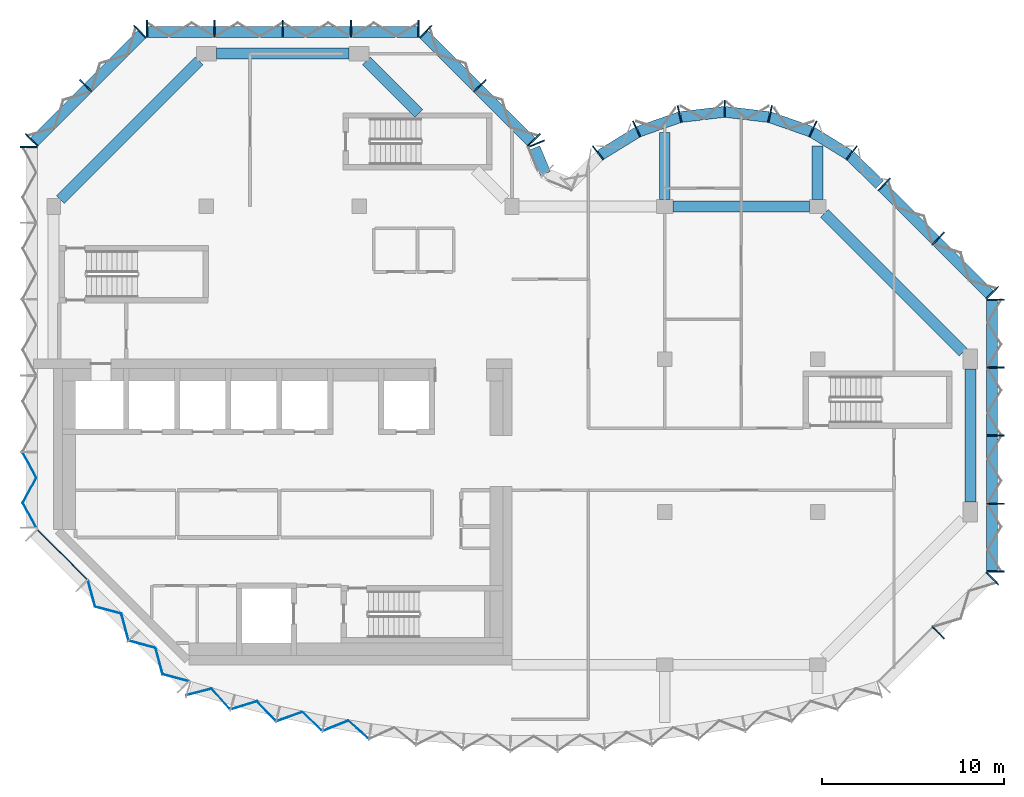
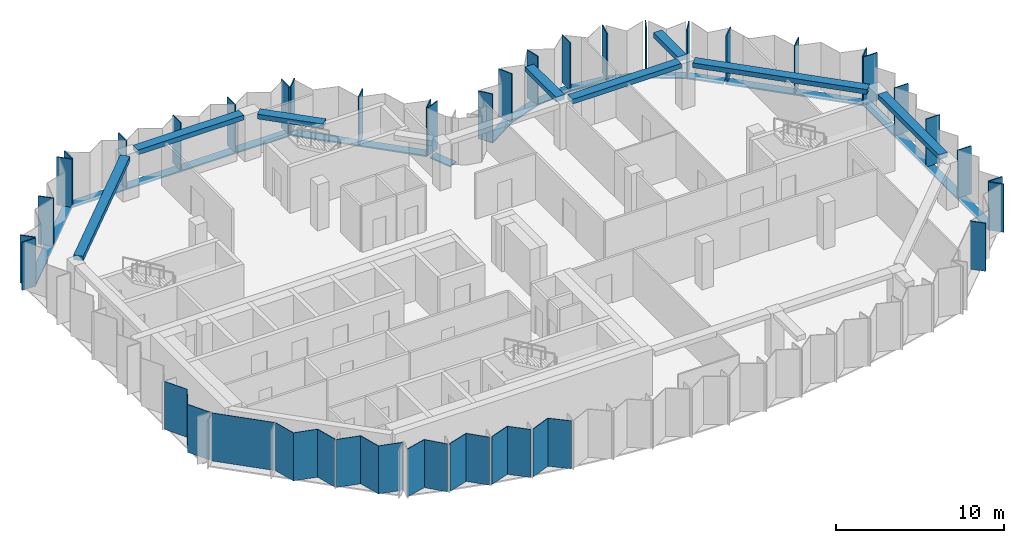
# One storey, part 2 of 9: 43 members, 8 beams, 8 plates, 11 elements without a shape of their own.
"""IFC4 building model written with IfcOpenShell, lengths in metres."""

from ifc_helpers import new_model, si_unit, direction, frame, origin, origin_2d, place, context, subcontext, project, spatial, polyline, rectangle, outline, extrude, material, layer, layer_set, material_profile, profile_set, type_object, element, aggregate, save


model = new_model("IFC4")

# Units and contexts
model_context = context("Model", 3, precision=1e-05, world=origin(), true_north=direction((0.0, 1.0)))
body_context = subcontext(model_context, "Body", "Model", "MODEL_VIEW")
ifc_project = project(units=[si_unit("LENGTHUNIT", "METRE"), si_unit("AREAUNIT", "SQUARE_METRE"), si_unit("VOLUMEUNIT", "CUBIC_METRE"), si_unit("PLANEANGLEUNIT", "RADIAN"), si_unit("MASSUNIT", "GRAM", prefix="KILO")], contexts=[model_context])

# Site, building, storey
site_placement = place(None, origin())
site = spatial("IfcSite", under=ifc_project, at=site_placement, CompositionType="ELEMENT")
building_placement = place(site_placement, origin())
building = spatial("IfcBuilding", under=site, at=building_placement, Name="Brevane Broadcast Tower", CompositionType="ELEMENT")
storey_placement = place(building_placement, frame((0.0, 0.0, 244.5)))
storey = spatial("IfcBuildingStorey", under=building, at=storey_placement, Name="L62", CompositionType="ELEMENT", Elevation=244.5)

# Curtain wall, members
ifc_material_1 = material(Name="Aluminium 6063-T6 bronze anodised", Category="aluminium")
curtain_wall_type = type_object("IfcCurtainWallType", Name="CW-1 curtain wall", PredefinedType="NOTDEFINED", material=ifc_material_1)
curtain_wall_1_placement = place(storey_placement, origin())
curtain_wall_1 = element("IfcCurtainWall", 1, at=curtain_wall_1_placement, inside=storey, type_object=curtain_wall_type, Name="CW-1 typical tilted unit L62 south-east chamfer", PredefinedType="NOTDEFINED")
ifc_material_profile_1 = material_profile(ifc_material_1, rectangle(XDim=0.949951171875, YDim=0.070068359375, at=origin_2d()), Name="RECT 70x950")
ifc_profile_set_1 = profile_set([ifc_material_profile_1], Name="Aluminium 6063-T6 bronze anodised")
member_type_1 = type_object("IfcMemberType", Name="CW-1 mullion 70x950", PredefinedType="MULLION", material=ifc_profile_set_1)
member_1_placement = place(storey_placement, frame((48.635986328125, 1.76416015625, -0.14990234375), z_axis=(0.0, 0.0, 1.0), x_axis=(-0.707106781187, 0.707106781187, 0.0)))
member_1 = element("IfcMember", 2, at=member_1_placement, type_object=member_type_1, Name="CW-1 mullion", PredefinedType="MULLION", context=body_context, shape_type="SweptSolid", body=[
    extrude(rectangle(XDim=0.949951171875, YDim=0.070068359375, at=origin_2d()), origin(), (0.0, 0.0, 1.0), 3.5),
])
member_2_placement = place(storey_placement, frame((51.611083984375, 4.7392578125, -0.14990234375), z_axis=(0.0, 0.0, 1.0), x_axis=(-0.707106781187, 0.707106781187, 0.0)))
member_2 = element("IfcMember", 3, at=member_2_placement, type_object=member_type_1, Name="CW-1 mullion", PredefinedType="MULLION", context=body_context, shape_type="SweptSolid", body=[
    extrude(rectangle(XDim=0.949951171875, YDim=0.070068359375, at=origin_2d()), origin(), (0.0, 0.0, 1.0), 3.5),
])
aggregate(curtain_wall_1, [member_1, member_2])

curtain_wall_2_placement = place(storey_placement, origin())
curtain_wall_2 = element("IfcCurtainWall", 4, at=curtain_wall_2_placement, inside=storey, type_object=curtain_wall_type, Name="CW-1 typical tilted unit L62 east end", PredefinedType="NOTDEFINED")
member_3_placement = place(storey_placement, frame((51.77490234375, 5.135009765625, -0.14990234375), z_axis=(0.0, 0.0, 1.0), x_axis=(-1.0, 0.0, 0.0)))
member_3 = element("IfcMember", 5, at=member_3_placement, type_object=member_type_1, Name="CW-1 mullion", PredefinedType="MULLION", context=body_context, shape_type="SweptSolid", body=[
    extrude(rectangle(XDim=0.949951171875, YDim=0.070068359375, at=origin_2d()), origin(), (0.0, 0.0, 1.0), 3.5),
])
member_4_placement = place(storey_placement, frame((51.77490234375, 8.85009765625, -0.14990234375), z_axis=(0.0, 0.0, 1.0), x_axis=(-1.0, 0.0, 0.0)))
member_4 = element("IfcMember", 6, at=member_4_placement, type_object=member_type_1, Name="CW-1 mullion", PredefinedType="MULLION", context=body_context, shape_type="SweptSolid", body=[
    extrude(rectangle(XDim=0.949951171875, YDim=0.070068359375, at=origin_2d()), origin(), (0.0, 0.0, 1.0), 3.5),
])
member_5_placement = place(storey_placement, frame((51.77490234375, 12.60009765625, -0.14990234375), z_axis=(0.0, 0.0, 1.0), x_axis=(-1.0, 0.0, 0.0)))
member_5 = element("IfcMember", 7, at=member_5_placement, type_object=member_type_1, Name="CW-1 mullion", PredefinedType="MULLION", context=body_context, shape_type="SweptSolid", body=[
    extrude(rectangle(XDim=0.949951171875, YDim=0.070068359375, at=origin_2d()), origin(), (0.0, 0.0, 1.0), 3.5),
])
member_6_placement = place(storey_placement, frame((51.77490234375, 16.35009765625, -0.14990234375), z_axis=(0.0, 0.0, 1.0), x_axis=(-1.0, 0.0, 0.0)))
member_6 = element("IfcMember", 8, at=member_6_placement, type_object=member_type_1, Name="CW-1 mullion", PredefinedType="MULLION", context=body_context, shape_type="SweptSolid", body=[
    extrude(rectangle(XDim=0.949951171875, YDim=0.070068359375, at=origin_2d()), origin(), (0.0, 0.0, 1.0), 3.5),
])
member_7_placement = place(storey_placement, frame((51.77490234375, 20.06494140625, -0.14990234375), z_axis=(0.0, 0.0, 1.0), x_axis=(-1.0, 0.0, 0.0)))
member_7 = element("IfcMember", 9, at=member_7_placement, type_object=member_type_1, Name="CW-1 mullion", PredefinedType="MULLION", context=body_context, shape_type="SweptSolid", body=[
    extrude(rectangle(XDim=0.949951171875, YDim=0.070068359375, at=origin_2d()), origin(), (0.0, 0.0, 1.0), 3.5),
])

curtain_wall_3_placement = place(storey_placement, origin())
curtain_wall_3 = element("IfcCurtainWall", 10, at=curtain_wall_3_placement, inside=storey, type_object=curtain_wall_type, Name="CW-1 typical tilted unit L62 north-east chamfer", PredefinedType="NOTDEFINED")
member_8_placement = place(storey_placement, frame((51.611083984375, 20.460693359375, -0.14990234375), z_axis=(0.0, 0.0, 1.0), x_axis=(-0.707106781187, -0.707106781187, 0.0)))
member_8 = element("IfcMember", 11, at=member_8_placement, type_object=member_type_1, Name="CW-1 mullion", PredefinedType="MULLION", context=body_context, shape_type="SweptSolid", body=[
    extrude(rectangle(XDim=0.949951171875, YDim=0.070068359375, at=origin_2d()), origin(), (0.0, 0.0, 1.0), 3.5),
])
member_9_placement = place(storey_placement, frame((48.635986328125, 23.435791015625, -0.14990234375), z_axis=(0.0, 0.0, 1.0), x_axis=(-0.707106781187, -0.707106781187, 0.0)))
member_9 = element("IfcMember", 12, at=member_9_placement, type_object=member_type_1, Name="CW-1 mullion", PredefinedType="MULLION", context=body_context, shape_type="SweptSolid", body=[
    extrude(rectangle(XDim=0.949951171875, YDim=0.070068359375, at=origin_2d()), origin(), (0.0, 0.0, 1.0), 3.5),
])
member_10_placement = place(storey_placement, frame((45.66064453125, 26.4111328125, -0.14990234375), z_axis=(0.0, 0.0, 1.0), x_axis=(-0.707106781187, -0.707106781187, 0.0)))
member_10 = element("IfcMember", 13, at=member_10_placement, type_object=member_type_1, Name="CW-1 mullion", PredefinedType="MULLION", context=body_context, shape_type="SweptSolid", body=[
    extrude(rectangle(XDim=0.949951171875, YDim=0.070068359375, at=origin_2d()), origin(), (0.0, 0.0, 1.0), 3.5),
])

curtain_wall_4_placement = place(storey_placement, origin())
curtain_wall_4 = element("IfcCurtainWall", 14, at=curtain_wall_4_placement, inside=storey, type_object=curtain_wall_type, Name="CW-1 typical tilted unit L62 east bow", PredefinedType="NOTDEFINED")
member_11_placement = place(storey_placement, frame((43.8720703125, 28.1455078125, -0.14990234375), z_axis=(0.0, 0.0, 1.0), x_axis=(-0.614769698862, -0.788706673841, 0.0)))
member_11 = element("IfcMember", 15, at=member_11_placement, type_object=member_type_1, Name="CW-1 mullion", PredefinedType="MULLION", context=body_context, shape_type="SweptSolid", body=[
    extrude(rectangle(XDim=0.949951171875, YDim=0.070068359375, at=origin_2d()), origin(), (0.0, 0.0, 1.0), 3.5),
])
member_12_placement = place(storey_placement, frame((41.746826171875, 29.4580078125, -0.14990234375), z_axis=(0.0, 0.0, 1.0), x_axis=(-0.429933580394, -0.902860518823, 0.0)))
member_12 = element("IfcMember", 16, at=member_12_placement, type_object=member_type_1, Name="CW-1 mullion", PredefinedType="MULLION", context=body_context, shape_type="SweptSolid", body=[
    extrude(rectangle(XDim=0.949951171875, YDim=0.070068359375, at=origin_2d()), origin(), (0.0, 0.0, 1.0), 3.5),
])
member_13_placement = place(storey_placement, frame((39.38818359375, 30.28076171875, -0.14990234375), z_axis=(0.0, 0.0, 1.0), x_axis=(-0.224806535479, -0.974403418306, 0.0)))
member_13 = element("IfcMember", 17, at=member_13_placement, type_object=member_type_1, Name="CW-1 mullion", PredefinedType="MULLION", context=body_context, shape_type="SweptSolid", body=[
    extrude(rectangle(XDim=0.949951171875, YDim=0.070068359375, at=origin_2d()), origin(), (0.0, 0.0, 1.0), 3.5),
])
member_14_placement = place(storey_placement, frame((36.89990234375, 30.574951171875, -0.14990234375), z_axis=(0.0, 0.0, 1.0), x_axis=(0.0, -1.0, 0.0)))
member_14 = element("IfcMember", 18, at=member_14_placement, type_object=member_type_1, Name="CW-1 mullion", PredefinedType="MULLION", context=body_context, shape_type="SweptSolid", body=[
    extrude(rectangle(XDim=0.949951171875, YDim=0.070068359375, at=origin_2d()), origin(), (0.0, 0.0, 1.0), 3.5),
])
member_15_placement = place(storey_placement, frame((34.411865234375, 30.28076171875, -0.14990234375), z_axis=(0.0, 0.0, 1.0), x_axis=(0.224806535479, -0.974403418306, 0.0)))
member_15 = element("IfcMember", 19, at=member_15_placement, type_object=member_type_1, Name="CW-1 mullion", PredefinedType="MULLION", context=body_context, shape_type="SweptSolid", body=[
    extrude(rectangle(XDim=0.949951171875, YDim=0.070068359375, at=origin_2d()), origin(), (0.0, 0.0, 1.0), 3.5),
])
member_16_placement = place(storey_placement, frame((32.05322265625, 29.4580078125, -0.14990234375), z_axis=(0.0, 0.0, 1.0), x_axis=(0.429933580394, -0.902860518823, 0.0)))
member_16 = element("IfcMember", 20, at=member_16_placement, type_object=member_type_1, Name="CW-1 mullion", PredefinedType="MULLION", context=body_context, shape_type="SweptSolid", body=[
    extrude(rectangle(XDim=0.949951171875, YDim=0.070068359375, at=origin_2d()), origin(), (0.0, 0.0, 1.0), 3.5),
])
member_17_placement = place(storey_placement, frame((29.927978515625, 28.1455078125, -0.14990234375), z_axis=(0.0, 0.0, 1.0), x_axis=(0.614769698862, -0.788706673841, 0.0)))
member_17 = element("IfcMember", 21, at=member_17_placement, type_object=member_type_1, Name="CW-1 mullion", PredefinedType="MULLION", context=body_context, shape_type="SweptSolid", body=[
    extrude(rectangle(XDim=0.949951171875, YDim=0.070068359375, at=origin_2d()), origin(), (0.0, 0.0, 1.0), 3.5),
])

# Curtain wall, member
curtain_wall_5_placement = place(storey_placement, origin())
curtain_wall_5 = element("IfcCurtainWall", 22, at=curtain_wall_5_placement, inside=storey, type_object=curtain_wall_type, Name="CW-1 typical tilted unit L62 inner corner", PredefinedType="NOTDEFINED")
member_18_placement = place(storey_placement, frame((26.55224609375, 28.6494140625, -0.14990234375), z_axis=(0.0, 0.0, 1.0), x_axis=(-0.923879532511, -0.382683432365, 0.0)))
member_18 = element("IfcMember", 23, at=member_18_placement, type_object=member_type_1, Name="CW-1 mullion", PredefinedType="MULLION", context=body_context, shape_type="SweptSolid", body=[
    extrude(rectangle(XDim=0.949951171875, YDim=0.070068359375, at=origin_2d()), origin(), (0.0, 0.0, 1.0), 3.5),
])

# Curtain wall, members
curtain_wall_6_placement = place(storey_placement, origin())
curtain_wall_6 = element("IfcCurtainWall", 24, at=curtain_wall_6_placement, inside=storey, type_object=curtain_wall_type, Name="CW-1 typical tilted unit L62 north arm north-east chamfer", PredefinedType="NOTDEFINED")
member_19_placement = place(storey_placement, frame((26.4111328125, 28.860595703125, -0.14990234375), z_axis=(0.0, 0.0, 1.0), x_axis=(-0.707106781187, -0.707106781187, 0.0)))
member_19 = element("IfcMember", 25, at=member_19_placement, type_object=member_type_1, Name="CW-1 mullion", PredefinedType="MULLION", context=body_context, shape_type="SweptSolid", body=[
    extrude(rectangle(XDim=0.949951171875, YDim=0.070068359375, at=origin_2d()), origin(), (0.0, 0.0, 1.0), 3.5),
])
member_20_placement = place(storey_placement, frame((23.435791015625, 31.8359375, -0.14990234375), z_axis=(0.0, 0.0, 1.0), x_axis=(-0.707106781187, -0.707106781187, 0.0)))
member_20 = element("IfcMember", 26, at=member_20_placement, type_object=member_type_1, Name="CW-1 mullion", PredefinedType="MULLION", context=body_context, shape_type="SweptSolid", body=[
    extrude(rectangle(XDim=0.949951171875, YDim=0.070068359375, at=origin_2d()), origin(), (0.0, 0.0, 1.0), 3.5),
])
member_21_placement = place(storey_placement, frame((20.460693359375, 34.81103515625, -0.14990234375), z_axis=(0.0, 0.0, 1.0), x_axis=(-0.707106781187, -0.707106781187, 0.0)))
member_21 = element("IfcMember", 27, at=member_21_placement, type_object=member_type_1, Name="CW-1 mullion", PredefinedType="MULLION", context=body_context, shape_type="SweptSolid", body=[
    extrude(rectangle(XDim=0.949951171875, YDim=0.070068359375, at=origin_2d()), origin(), (0.0, 0.0, 1.0), 3.5),
])

curtain_wall_7_placement = place(storey_placement, origin())
curtain_wall_7 = element("IfcCurtainWall", 28, at=curtain_wall_7_placement, inside=storey, type_object=curtain_wall_type, Name="CW-1 typical tilted unit L62 north end", PredefinedType="NOTDEFINED")
member_22_placement = place(storey_placement, frame((20.06494140625, 34.97509765625, -0.14990234375), z_axis=(0.0, 0.0, 1.0), x_axis=(0.0, -1.0, 0.0)))
member_22 = element("IfcMember", 29, at=member_22_placement, type_object=member_type_1, Name="CW-1 mullion", PredefinedType="MULLION", context=body_context, shape_type="SweptSolid", body=[
    extrude(rectangle(XDim=0.949951171875, YDim=0.070068359375, at=origin_2d()), origin(), (0.0, 0.0, 1.0), 3.5),
])
member_23_placement = place(storey_placement, frame((16.35009765625, 34.97509765625, -0.14990234375), z_axis=(0.0, 0.0, 1.0), x_axis=(0.0, -1.0, 0.0)))
member_23 = element("IfcMember", 30, at=member_23_placement, type_object=member_type_1, Name="CW-1 mullion", PredefinedType="MULLION", context=body_context, shape_type="SweptSolid", body=[
    extrude(rectangle(XDim=0.949951171875, YDim=0.070068359375, at=origin_2d()), origin(), (0.0, 0.0, 1.0), 3.5),
])
member_24_placement = place(storey_placement, frame((12.60009765625, 34.97509765625, -0.14990234375), z_axis=(0.0, 0.0, 1.0), x_axis=(0.0, -1.0, 0.0)))
member_24 = element("IfcMember", 31, at=member_24_placement, type_object=member_type_1, Name="CW-1 mullion", PredefinedType="MULLION", context=body_context, shape_type="SweptSolid", body=[
    extrude(rectangle(XDim=0.949951171875, YDim=0.070068359375, at=origin_2d()), origin(), (0.0, 0.0, 1.0), 3.5),
])
member_25_placement = place(storey_placement, frame((8.85009765625, 34.97509765625, -0.14990234375), z_axis=(0.0, 0.0, 1.0), x_axis=(0.0, -1.0, 0.0)))
member_25 = element("IfcMember", 32, at=member_25_placement, type_object=member_type_1, Name="CW-1 mullion", PredefinedType="MULLION", context=body_context, shape_type="SweptSolid", body=[
    extrude(rectangle(XDim=0.949951171875, YDim=0.070068359375, at=origin_2d()), origin(), (0.0, 0.0, 1.0), 3.5),
])
member_26_placement = place(storey_placement, frame((5.135009765625, 34.97509765625, -0.14990234375), z_axis=(0.0, 0.0, 1.0), x_axis=(0.0, -1.0, 0.0)))
member_26 = element("IfcMember", 33, at=member_26_placement, type_object=member_type_1, Name="CW-1 mullion", PredefinedType="MULLION", context=body_context, shape_type="SweptSolid", body=[
    extrude(rectangle(XDim=0.949951171875, YDim=0.070068359375, at=origin_2d()), origin(), (0.0, 0.0, 1.0), 3.5),
])

curtain_wall_8_placement = place(storey_placement, origin())
curtain_wall_8 = element("IfcCurtainWall", 34, at=curtain_wall_8_placement, inside=storey, type_object=curtain_wall_type, Name="CW-1 typical tilted unit L62 north-west chamfer", PredefinedType="NOTDEFINED")
member_27_placement = place(storey_placement, frame((4.7392578125, 34.81103515625, -0.14990234375), z_axis=(0.0, 0.0, 1.0), x_axis=(0.707106781187, -0.707106781187, 0.0)))
member_27 = element("IfcMember", 35, at=member_27_placement, type_object=member_type_1, Name="CW-1 mullion", PredefinedType="MULLION", context=body_context, shape_type="SweptSolid", body=[
    extrude(rectangle(XDim=0.949951171875, YDim=0.070068359375, at=origin_2d()), origin(), (0.0, 0.0, 1.0), 3.5),
])
member_28_placement = place(storey_placement, frame((1.76416015625, 31.8359375, -0.14990234375), z_axis=(0.0, 0.0, 1.0), x_axis=(0.707106781187, -0.707106781187, 0.0)))
member_28 = element("IfcMember", 36, at=member_28_placement, type_object=member_type_1, Name="CW-1 mullion", PredefinedType="MULLION", context=body_context, shape_type="SweptSolid", body=[
    extrude(rectangle(XDim=0.949951171875, YDim=0.070068359375, at=origin_2d()), origin(), (0.0, 0.0, 1.0), 3.5),
])
member_29_placement = place(storey_placement, frame((-1.211181640625, 28.860595703125, -0.14990234375), z_axis=(0.0, 0.0, 1.0), x_axis=(0.707106781187, -0.707106781187, 0.0)))
member_29 = element("IfcMember", 37, at=member_29_placement, type_object=member_type_1, Name="CW-1 mullion", PredefinedType="MULLION", context=body_context, shape_type="SweptSolid", body=[
    extrude(rectangle(XDim=0.949951171875, YDim=0.070068359375, at=origin_2d()), origin(), (0.0, 0.0, 1.0), 3.5),
])

# Curtain wall, member
curtain_wall_9_placement = place(storey_placement, origin())
curtain_wall_9 = element("IfcCurtainWall", 38, at=curtain_wall_9_placement, inside=storey, type_object=curtain_wall_type, Name="CW-1 typical tilted unit L62 west face", PredefinedType="NOTDEFINED")
member_30_placement = place(storey_placement, frame((-1.375, 28.465087890625, -0.14990234375), z_axis=(0.0, 0.0, 1.0), x_axis=(1.0, 0.0, 0.0)))
member_30 = element("IfcMember", 39, at=member_30_placement, type_object=member_type_1, Name="CW-1 mullion", PredefinedType="MULLION", context=body_context, shape_type="SweptSolid", body=[
    extrude(rectangle(XDim=0.949951171875, YDim=0.070068359375, at=origin_2d()), origin(), (0.0, 0.0, 1.0), 3.5),
])

# Member
ifc_material_profile_2 = material_profile(ifc_material_1, rectangle(XDim=0.60009765625, YDim=0.10009765625, at=origin_2d()), Name="RECT 100x600")
ifc_profile_set_2 = profile_set([ifc_material_profile_2], Name="Aluminium 6063-T6 bronze anodised")
member_type_2 = type_object("IfcMemberType", Name="CW-1 transom 100x600", PredefinedType="USERDEFINED", material=ifc_profile_set_2)
member_31_placement = place(storey_placement, frame((51.60009765625, 5.10009765625, -0.199951171875), z_axis=(0.0, 1.0, 0.0), x_axis=(-1.0, 0.0, 0.0)))
member_31 = element("IfcMember", 40, at=member_31_placement, type_object=member_type_2, Name="CW-1 transom", ObjectType="TRANSOM", PredefinedType="USERDEFINED", context=body_context, shape_type="SweptSolid", body=[
    extrude(rectangle(XDim=0.60009765625, YDim=0.10009765625, at=origin_2d()), origin(), (0.0, 0.0, 1.0), 15.0),
])

aggregate(curtain_wall_2, [member_3, member_4, member_5, member_6, member_7, member_31])

member_32_placement = place(storey_placement, frame((51.51220703125, 20.31201171875, -0.199951171875), z_axis=(-0.707106781187, 0.707106781187, 0.0), x_axis=(-0.707106781187, -0.707106781187, 0.0)))
member_32 = element("IfcMember", 41, at=member_32_placement, type_object=member_type_2, Name="CW-1 transom", ObjectType="TRANSOM", PredefinedType="USERDEFINED", context=body_context, shape_type="SweptSolid", body=[
    extrude(rectangle(XDim=0.60009765625, YDim=0.10009765625, at=origin_2d()), origin(), (0.0, 0.0, 1.0), 8.4853515625),
])

aggregate(curtain_wall_3, [member_8, member_9, member_10, member_32])

member_33_placement = place(storey_placement, frame((45.412841796875, 26.407958984375, -0.199951171875), z_axis=(-0.71724215871, 0.696823999134, 0.0), x_axis=(-0.696823999134, -0.71724215871, 0.0)))
member_33 = element("IfcMember", 42, at=member_33_placement, type_object=member_type_2, Name="CW-1 transom", ObjectType="TRANSOM", PredefinedType="USERDEFINED", context=body_context, shape_type="SweptSolid", body=[
    extrude(rectangle(XDim=0.60009765625, YDim=0.10009765625, at=origin_2d()), origin(), (0.0, 0.0, 1.0), 2.247802734375),
])

member_34_placement = place(storey_placement, frame((43.7421875, 28.023193359375, -0.199951171875), z_axis=(-0.850810063131, 0.525473345162, 0.0), x_axis=(-0.525473345162, -0.850810063131, 0.0)))
member_34 = element("IfcMember", 43, at=member_34_placement, type_object=member_type_2, Name="CW-1 transom", ObjectType="TRANSOM", PredefinedType="USERDEFINED", context=body_context, shape_type="SweptSolid", body=[
    extrude(rectangle(XDim=0.60009765625, YDim=0.10009765625, at=origin_2d()), origin(), (0.0, 0.0, 1.0), 2.39453125),
])

member_35_placement = place(storey_placement, frame((41.63623046875, 29.314208984375, -0.199951171875), z_axis=(-0.944197969542, 0.329378497041, 0.0), x_axis=(-0.329378497041, -0.944197969542, 0.0)))
member_35 = element("IfcMember", 44, at=member_35_placement, type_object=member_type_2, Name="CW-1 transom", ObjectType="TRANSOM", PredefinedType="USERDEFINED", context=body_context, shape_type="SweptSolid", body=[
    extrude(rectangle(XDim=0.60009765625, YDim=0.10009765625, at=origin_2d()), origin(), (0.0, 0.0, 1.0), 2.394775390625),
])

member_36_placement = place(storey_placement, frame((39.30029296875, 30.117431640625, -0.199951171875), z_axis=(-0.993062061831, 0.117591417, 0.0), x_axis=(-0.117591417, -0.993062061831, 0.0)))
member_36 = element("IfcMember", 45, at=member_36_placement, type_object=member_type_2, Name="CW-1 transom", ObjectType="TRANSOM", PredefinedType="USERDEFINED", context=body_context, shape_type="SweptSolid", body=[
    extrude(rectangle(XDim=0.60009765625, YDim=0.10009765625, at=origin_2d()), origin(), (0.0, 0.0, 1.0), 2.39794921875),
])

member_37_placement = place(storey_placement, frame((36.880859375, 30.3994140625, -0.199951171875), z_axis=(-0.993060653805, -0.117603307202, 0.0), x_axis=(0.117603307202, -0.993060653805, 0.0)))
member_37 = element("IfcMember", 46, at=member_37_placement, type_object=member_type_2, Name="CW-1 transom", ObjectType="TRANSOM", PredefinedType="USERDEFINED", context=body_context, shape_type="SweptSolid", body=[
    extrude(rectangle(XDim=0.60009765625, YDim=0.10009765625, at=origin_2d()), origin(), (0.0, 0.0, 1.0), 2.397705078125),
])

member_38_placement = place(storey_placement, frame((34.425048828125, 30.10302734375, -0.199951171875), z_axis=(-0.944197969542, -0.329378497041, 0.0), x_axis=(0.329378497041, -0.944197969542, 0.0)))
member_38 = element("IfcMember", 47, at=member_38_placement, type_object=member_type_2, Name="CW-1 transom", ObjectType="TRANSOM", PredefinedType="USERDEFINED", context=body_context, shape_type="SweptSolid", body=[
    extrude(rectangle(XDim=0.60009765625, YDim=0.10009765625, at=origin_2d()), origin(), (0.0, 0.0, 1.0), 2.394775390625),
])

member_39_placement = place(storey_placement, frame((32.09521484375, 29.281494140625, -0.199951171875), z_axis=(-0.850838211365, -0.525427766759, 0.0), x_axis=(0.525427766759, -0.850838211365, 0.0)))
member_39 = element("IfcMember", 48, at=member_39_placement, type_object=member_type_2, Name="CW-1 transom", ObjectType="TRANSOM", PredefinedType="USERDEFINED", context=body_context, shape_type="SweptSolid", body=[
    extrude(rectangle(XDim=0.60009765625, YDim=0.10009765625, at=origin_2d()), origin(), (0.0, 0.0, 1.0), 2.394775390625),
])

aggregate(curtain_wall_4, [member_11, member_12, member_13, member_14, member_15, member_16, member_17, member_33, member_34, member_35, member_36, member_37, member_38, member_39])

member_40_placement = place(storey_placement, frame((27.039794921875, 27.0, -0.199951171875), z_axis=(-0.382674472816, 0.923883243627, 0.0), x_axis=(-0.923883243627, -0.382674472816, 0.0)))
member_40 = element("IfcMember", 49, at=member_40_placement, type_object=member_type_2, Name="CW-1 transom", ObjectType="TRANSOM", PredefinedType="USERDEFINED", context=body_context, shape_type="SweptSolid", body=[
    extrude(rectangle(XDim=0.60009765625, YDim=0.10009765625, at=origin_2d()), origin(), (0.0, 0.0, 1.0), 1.536865234375),
])

aggregate(curtain_wall_5, [member_18, member_40])

member_41_placement = place(storey_placement, frame((26.31201171875, 28.712158203125, -0.199951171875), z_axis=(-0.707106781187, 0.707106781187, 0.0), x_axis=(-0.707106781187, -0.707106781187, 0.0)))
member_41 = element("IfcMember", 50, at=member_41_placement, type_object=member_type_2, Name="CW-1 transom", ObjectType="TRANSOM", PredefinedType="USERDEFINED", context=body_context, shape_type="SweptSolid", body=[
    extrude(rectangle(XDim=0.60009765625, YDim=0.10009765625, at=origin_2d()), origin(), (0.0, 0.0, 1.0), 8.4853515625),
])

aggregate(curtain_wall_6, [member_19, member_20, member_21, member_41])

member_42_placement = place(storey_placement, frame((20.10009765625, 34.800048828125, -0.199951171875), z_axis=(-1.0, 0.0, 0.0), x_axis=(0.0, -1.0, 0.0)))
member_42 = element("IfcMember", 51, at=member_42_placement, type_object=member_type_2, Name="CW-1 transom", ObjectType="TRANSOM", PredefinedType="USERDEFINED", context=body_context, shape_type="SweptSolid", body=[
    extrude(rectangle(XDim=0.60009765625, YDim=0.10009765625, at=origin_2d()), origin(), (0.0, 0.0, 1.0), 15.0),
])

aggregate(curtain_wall_7, [member_22, member_23, member_24, member_25, member_26, member_42])

member_43_placement = place(storey_placement, frame((4.887939453125, 34.712158203125, -0.199951171875), z_axis=(-0.707106781187, -0.707106781187, 0.0), x_axis=(0.707106781187, -0.707106781187, 0.0)))
member_43 = element("IfcMember", 52, at=member_43_placement, type_object=member_type_2, Name="CW-1 transom", ObjectType="TRANSOM", PredefinedType="USERDEFINED", context=body_context, shape_type="SweptSolid", body=[
    extrude(rectangle(XDim=0.60009765625, YDim=0.10009765625, at=origin_2d()), origin(), (0.0, 0.0, 1.0), 8.4853515625),
])

aggregate(curtain_wall_8, [member_27, member_28, member_29, member_43])

# Beams
ifc_material_2 = material(Name="Concrete C40/50", Category="concrete")
ifc_material_profile_3 = material_profile(ifc_material_2, rectangle(XDim=0.60009765625, YDim=0.35009765625, at=origin_2d()), Name="RC 600x350")
ifc_profile_set_3 = profile_set([ifc_material_profile_3], Name="Concrete C40/50")
beam_type_1 = type_object("IfcBeamType", Name="RC BRACKET BEAM 600x350 C40/50", PredefinedType="BEAM", material=ifc_profile_set_3)
beam_1_placement = place(storey_placement, frame((33.60009765625, 25.574951171875, 3.175048828125), z_axis=(0.0, 1.0, 0.0), x_axis=(-1.0, 0.0, 0.0)))
element("IfcBeam", 53, at=beam_1_placement, inside=storey, type_object=beam_type_1, Name="EB2 L62-2", PredefinedType="BEAM", context=body_context, shape_type="SweptSolid", body=[
    extrude(rectangle(XDim=0.60009765625, YDim=0.35009765625, at=origin_2d()), origin(), (0.0, 0.0, 1.0), 3.68701171875),
])
beam_2_placement = place(storey_placement, frame((42.0, 25.574951171875, 3.175048828125), z_axis=(0.0, 1.0, 0.0), x_axis=(-1.0, 0.0, 0.0)))
element("IfcBeam", 54, at=beam_2_placement, inside=storey, type_object=beam_type_1, Name="EB2 L62-4", PredefinedType="BEAM", context=body_context, shape_type="SweptSolid", body=[
    extrude(rectangle(XDim=0.60009765625, YDim=0.35009765625, at=origin_2d()), origin(), (0.0, 0.0, 1.0), 2.9365234375),
])
ifc_material_profile_4 = material_profile(ifc_material_2, rectangle(XDim=0.60009765625, YDim=0.35009765625, at=origin_2d()), Name="RC 600x350")
ifc_profile_set_4 = profile_set([ifc_material_profile_4], Name="Concrete C40/50")
beam_type_2 = type_object("IfcBeamType", Name="RC SPANDREL BEAM 600x350 C40/50", PredefinedType="SPANDREL", material=ifc_profile_set_4)
beam_3_placement = place(storey_placement, frame((50.39990234375, 8.949951171875, 3.175048828125), z_axis=(0.0, 1.0, 0.0), x_axis=(-1.0, 0.0, 0.0)))
element("IfcBeam", 55, at=beam_3_placement, inside=storey, type_object=beam_type_2, Name="EB1 L62-4", PredefinedType="SPANDREL", context=body_context, shape_type="SweptSolid", body=[
    extrude(rectangle(XDim=0.60009765625, YDim=0.35009765625, at=origin_2d()), origin(), (0.0, 0.0, 1.0), 7.300048828125),
])
beam_4_placement = place(storey_placement, frame((50.0, 17.199951171875, 3.175048828125), z_axis=(-0.707106781187, 0.707106781187, 0.0), x_axis=(-0.707106781187, -0.707106781187, 0.0)))
element("IfcBeam", 56, at=beam_4_placement, inside=storey, type_object=beam_type_2, Name="EB1 L62-5", PredefinedType="SPANDREL", context=body_context, shape_type="SweptSolid", body=[
    extrude(rectangle(XDim=0.60009765625, YDim=0.35009765625, at=origin_2d()), origin(), (0.0, 0.0, 1.0), 10.783447265625),
])
beam_5_placement = place(storey_placement, frame((41.550048828125, 25.199951171875, 3.175048828125), z_axis=(-1.0, 0.0, 0.0), x_axis=(0.0, -1.0, 0.0)))
element("IfcBeam", 57, at=beam_5_placement, inside=storey, type_object=beam_type_2, Name="EB1 L62-6", PredefinedType="SPANDREL", context=body_context, shape_type="SweptSolid", body=[
    extrude(rectangle(XDim=0.60009765625, YDim=0.35009765625, at=origin_2d()), origin(), (0.0, 0.0, 1.0), 7.5),
])
beam_6_placement = place(storey_placement, frame((20.080078125, 30.320068359375, 3.175048828125), z_axis=(-0.707136751593, 0.70707680951, 0.0), x_axis=(-0.70707680951, -0.707136751593, 0.0)))
element("IfcBeam", 58, at=beam_6_placement, inside=storey, type_object=beam_type_2, Name="EB1 L62-12", PredefinedType="SPANDREL", context=body_context, shape_type="SweptSolid", body=[
    extrude(rectangle(XDim=0.60009765625, YDim=0.35009765625, at=origin_2d()), origin(), (0.0, 0.0, 1.0), 4.072998046875),
])
beam_7_placement = place(storey_placement, frame((16.25, 33.60009765625, 3.175048828125), z_axis=(-1.0, 0.0, 0.0), x_axis=(0.0, -1.0, 0.0)))
element("IfcBeam", 59, at=beam_7_placement, inside=storey, type_object=beam_type_2, Name="EB1 L62-9", PredefinedType="SPANDREL", context=body_context, shape_type="SweptSolid", body=[
    extrude(rectangle(XDim=0.60009765625, YDim=0.35009765625, at=origin_2d()), origin(), (0.0, 0.0, 1.0), 7.300048828125),
])
beam_8_placement = place(storey_placement, frame((8.0, 33.199951171875, 3.175048828125), z_axis=(-0.707106781187, -0.707106781187, 0.0), x_axis=(0.707106781187, -0.707106781187, 0.0)))
element("IfcBeam", 60, at=beam_8_placement, inside=storey, type_object=beam_type_2, Name="EB1 L62-10", PredefinedType="SPANDREL", context=body_context, shape_type="SweptSolid", body=[
    extrude(rectangle(XDim=0.60009765625, YDim=0.35009765625, at=origin_2d()), origin(), (0.0, 0.0, 1.0), 10.783447265625),
])

# Curtain wall, plates
curtain_wall_10_placement = place(storey_placement, origin())
curtain_wall_10 = element("IfcCurtainWall", 61, at=curtain_wall_10_placement, inside=storey, type_object=curtain_wall_type, Name="CW-1 typical tilted unit L62 south bow", PredefinedType="NOTDEFINED")
ifc_material_3 = material(Name="Laminated glass bronze-tinted", Category="glass")
ifc_layer = layer(ifc_material_3, 0.0400390625)
ifc_layer_set = layer_set([ifc_layer], Name="CW tall glass panel 40")
plate_type = type_object("IfcPlateType", Name="CW tall glass panel 40", PredefinedType="CURTAIN_PANEL", material=ifc_layer_set)
plate_1_placement = place(storey_placement, frame((0.0, 0.0, -0.14990234375)))
plate_1 = element("IfcPlate", 62, at=plate_1_placement, type_object=plate_type, Name="CW-1 glass panel", PredefinedType="CURTAIN_PANEL", context=body_context, shape_type="SweptSolid", body=[
    extrude(outline(polyline([(7.312255859375, -1.643310546875), (7.298583984375, -1.68798828125), (8.68603515625, -1.334716796875), (9.65771484375, -2.421875), (9.670654296875, -2.376220703125), (8.69970703125, -1.289794921875), (7.312255859375, -1.643310546875)])), origin(), (0.0, 0.0, 1.0), 3.5),
])
plate_2_placement = place(storey_placement, frame((0.0, 0.0, -0.14990234375)))
plate_2 = element("IfcPlate", 63, at=plate_2_placement, type_object=plate_type, Name="CW-1 glass panel", PredefinedType="CURTAIN_PANEL", context=body_context, shape_type="SweptSolid", body=[
    extrude(outline(polyline([(9.81494140625, -2.407470703125), (9.80224609375, -2.453369140625), (11.174560546875, -2.030029296875), (12.17236328125, -3.069580078125), (12.18310546875, -3.023193359375), (11.186279296875, -1.984619140625), (9.81494140625, -2.407470703125)])), origin(), (0.0, 0.0, 1.0), 3.5),
])
plate_3_placement = place(storey_placement, frame((0.0, 0.0, -0.14990234375)))
plate_3 = element("IfcPlate", 64, at=plate_3_placement, type_object=plate_type, Name="CW-1 glass panel", PredefinedType="CURTAIN_PANEL", context=body_context, shape_type="SweptSolid", body=[
    extrude(outline(polyline([(12.328125, -3.051513671875), (12.317138671875, -3.09765625), (13.67138671875, -2.615966796875), (14.711669921875, -3.611328125), (14.720458984375, -3.564453125), (13.68115234375, -2.570068359375), (12.328125, -3.051513671875)])), origin(), (0.0, 0.0, 1.0), 3.5),
])
plate_4_placement = place(storey_placement, frame((0.0, 0.0, -0.14990234375)))
plate_4 = element("IfcPlate", 65, at=plate_4_placement, type_object=plate_type, Name="CW-1 glass panel", PredefinedType="CURTAIN_PANEL", context=body_context, shape_type="SweptSolid", body=[
    extrude(outline(polyline([(14.865966796875, -3.58984375), (14.85693359375, -3.63671875), (16.190185546875, -3.09716796875), (17.271240234375, -4.04638671875), (17.2783203125, -3.99951171875), (16.197998046875, -3.05078125), (14.865966796875, -3.58984375)])), origin(), (0.0, 0.0, 1.0), 3.5),
])
aggregate(curtain_wall_10, [plate_1, plate_2, plate_3, plate_4])

# Plate
plate_5_placement = place(storey_placement, frame((0.0, 0.0, -0.14990234375)))
plate_5 = element("IfcPlate", 66, at=plate_5_placement, type_object=plate_type, Name="CW-1 glass panel", PredefinedType="CURTAIN_PANEL", context=body_context, shape_type="SweptSolid", body=[
    extrude(outline(polyline([(-1.671630859375, 11.6650390625), (-1.717041015625, 11.6650390625), (-0.97265625, 10.288330078125), (-1.717041015625, 8.91162109375), (-0.97265625, 7.534912109375), (-0.92724609375, 7.534912109375), (-1.671630859375, 8.91162109375), (-0.92724609375, 10.288330078125), (-1.671630859375, 11.6650390625)])), origin(), (0.0, 0.0, 1.0), 3.5),
])

aggregate(curtain_wall_9, [member_30, plate_5])

# Curtain wall, plates
curtain_wall_11_placement = place(storey_placement, origin())
curtain_wall_11 = element("IfcCurtainWall", 67, at=curtain_wall_11_placement, inside=storey, type_object=curtain_wall_type, Name="CW-1 typical tilted unit L62 south-west chamfer", PredefinedType="NOTDEFINED")
plate_6_placement = place(storey_placement, frame((0.0, 0.0, -0.14990234375)))
plate_6 = element("IfcPlate", 68, at=plate_6_placement, type_object=plate_type, Name="CW-1 glass panel", PredefinedType="CURTAIN_PANEL", context=body_context, shape_type="SweptSolid", body=[
    extrude(outline(polyline([(-0.896484375, 7.4541015625), (1.85400390625, 4.70361328125), (1.82568359375, 4.67529296875), (-0.9248046875, 7.42578125), (-0.896484375, 7.4541015625)])), origin(), (0.0, 0.0, 1.0), 3.5),
])
plate_7_placement = place(storey_placement, frame((0.0, 0.0, -0.14990234375)))
plate_7 = element("IfcPlate", 69, at=plate_7_placement, type_object=plate_type, Name="CW-1 glass panel", PredefinedType="CURTAIN_PANEL", context=body_context, shape_type="SweptSolid", body=[
    extrude(outline(polyline([(1.90576171875, 4.65625), (1.873046875, 4.62353515625), (2.263671875, 3.180419921875), (3.706787109375, 2.789794921875), (4.09716796875, 1.3466796875), (4.1298828125, 1.37939453125), (3.739501953125, 2.822509765625), (2.296142578125, 3.212890625), (1.90576171875, 4.65625)])), origin(), (0.0, 0.0, 1.0), 3.5),
])
plate_8_placement = place(storey_placement, frame((0.0, 0.0, -0.14990234375)))
plate_8 = element("IfcPlate", 70, at=plate_8_placement, type_object=plate_type, Name="CW-1 glass panel", PredefinedType="CURTAIN_PANEL", context=body_context, shape_type="SweptSolid", body=[
    extrude(outline(polyline([(4.17919921875, 1.329833984375), (4.146728515625, 1.297119140625), (5.58984375, 0.90673828125), (5.98046875, -0.536376953125), (7.423583984375, -0.927001953125), (7.456298828125, -0.894287109375), (6.012939453125, -0.50390625), (5.62255859375, 0.939453125), (4.17919921875, 1.329833984375)])), origin(), (0.0, 0.0, 1.0), 3.5),
])
aggregate(curtain_wall_11, [plate_6, plate_7, plate_8])

save(model, "model.ifc")
